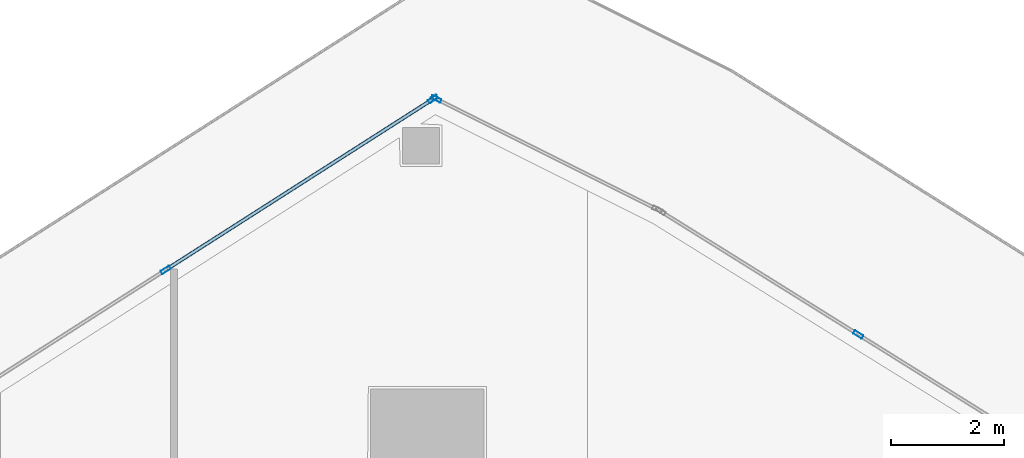
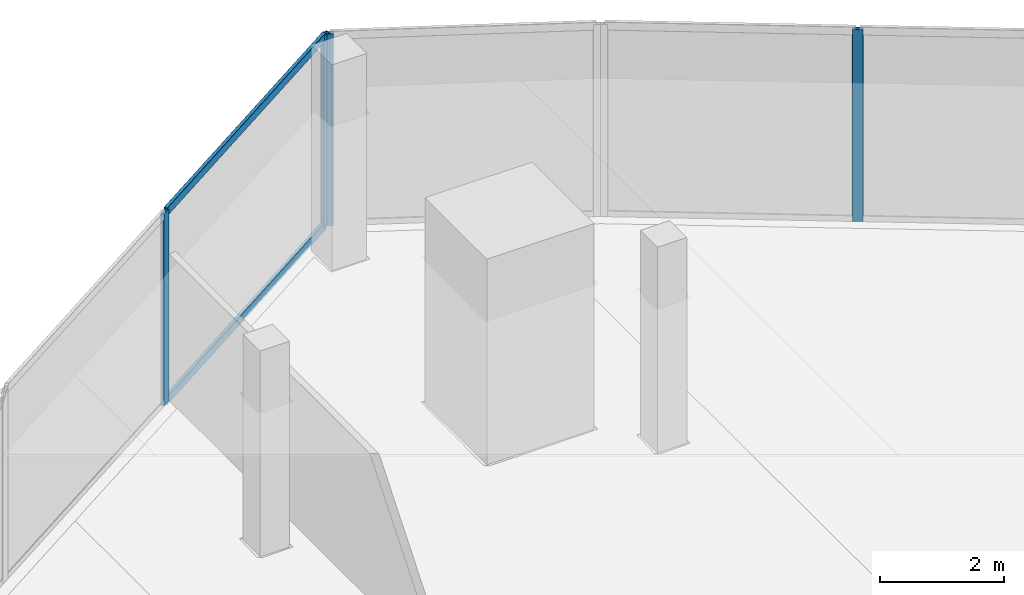
# One storey, part 22 of 36: 6 members, 3 elements without a shape of their own.
"""IFC4 building model written with IfcOpenShell, lengths in metres."""

from ifc_helpers import new_model, si_unit, direction, frame, origin, origin_2d, place, context, subcontext, project, spatial, hollow_rectangle, extrude, material, layer, layer_set, material_profile, profile_set, type_object, element, aggregate, save


model = new_model("IFC4")

# Units and contexts
model_context = context("Model", 3, precision=1e-05, world=origin(), true_north=direction((0.0, 1.0)))
body_context = subcontext(model_context, "Body", "Model", "MODEL_VIEW")
ifc_project = project(units=[si_unit("LENGTHUNIT", "METRE"), si_unit("AREAUNIT", "SQUARE_METRE"), si_unit("VOLUMEUNIT", "CUBIC_METRE"), si_unit("PLANEANGLEUNIT", "RADIAN"), si_unit("MASSUNIT", "GRAM", prefix="KILO")], contexts=[model_context])

# Site, building, storey
site_placement = place(None, origin())
site = spatial("IfcSite", under=ifc_project, at=site_placement, CompositionType="ELEMENT")
building_placement = place(site_placement, origin())
building = spatial("IfcBuilding", under=site, at=building_placement, Name="Qorvath Tower", CompositionType="ELEMENT")
storey_placement = place(building_placement, frame((0.0, 0.0, 205.050048828125)))
storey = spatial("IfcBuildingStorey", under=building, at=storey_placement, Name="L47", CompositionType="ELEMENT", Elevation=205.050048828125)

# Curtain wall, member
ifc_material_1 = material(Name="Anodised aluminium and triple low-E glass", Category="aluminium")
ifc_layer = layer(ifc_material_1, 0.179931640625)
ifc_layer_set = layer_set([ifc_layer], Name="CW-SYS-3")
curtain_wall_type = type_object("IfcCurtainWallType", Name="CW-SYS-3", PredefinedType="NOTDEFINED", material=ifc_layer_set)
curtain_wall_1_placement = place(storey_placement, origin())
curtain_wall_1 = element("IfcCurtainWall", 1, at=curtain_wall_1_placement, inside=storey, type_object=curtain_wall_type, Name="Curtain Wall CW-3 CW-T-L47-14.1", PredefinedType="NOTDEFINED")
ifc_material_2 = material(Name="Anodised aluminium 6063-T6", Category="aluminium")
ifc_material_profile_1 = material_profile(ifc_material_2, hollow_rectangle(XDim=0.06494140625, YDim=0.179931640625, WallThickness=0.00341796875, InnerFilletRadius=0.00341796875, OuterFilletRadius=0.007080078125, at=origin_2d()), Name="CWM 180x65")
ifc_profile_set_1 = profile_set([ifc_material_profile_1], Name="Anodised aluminium 6063-T6")
member_type_1 = type_object("IfcMemberType", Name="CWM-180", PredefinedType="MULLION", material=ifc_profile_set_1)
member_1_placement = place(storey_placement, frame((-9.25341796875, 23.590576171875, 0.0), z_axis=(0.0, 0.0, 1.0), x_axis=(-0.529206179006, -0.848493264618, 0.0)))
member_1 = element("IfcMember", 2, at=member_1_placement, type_object=member_type_1, Name="CW-3 mullion 2", PredefinedType="MULLION", context=body_context, shape_type="SweptSolid", body=[
    extrude(hollow_rectangle(XDim=0.06494140625, YDim=0.179931640625, WallThickness=0.00341796875, InnerFilletRadius=0.00341796875, OuterFilletRadius=0.007080078125, at=origin_2d()), origin(), (0.0, 0.0, 1.0), 3.780029296875),
])
aggregate(curtain_wall_1, [member_1])

curtain_wall_2_placement = place(storey_placement, origin())
curtain_wall_2 = element("IfcCurtainWall", 3, at=curtain_wall_2_placement, inside=storey, type_object=curtain_wall_type, Name="Curtain Wall CW-3 CW-T-L47-15.1", PredefinedType="NOTDEFINED")
member_2_placement = place(storey_placement, frame((-16.7138671875, 27.75634765625, 0.0), z_axis=(0.0, 0.0, 1.0), x_axis=(-0.44720457744, -0.894431699973, 0.0)))
member_2 = element("IfcMember", 4, at=member_2_placement, type_object=member_type_1, Name="CW-3 mullion 2", PredefinedType="MULLION", context=body_context, shape_type="SweptSolid", body=[
    extrude(hollow_rectangle(XDim=0.06494140625, YDim=0.179931640625, WallThickness=0.00341796875, InnerFilletRadius=0.00341796875, OuterFilletRadius=0.007080078125, at=origin_2d()), origin(), (0.0, 0.0, 1.0), 3.780029296875),
])
aggregate(curtain_wall_2, [member_2])

# Curtain wall, members
curtain_wall_3_placement = place(storey_placement, origin())
curtain_wall_3 = element("IfcCurtainWall", 5, at=curtain_wall_3_placement, inside=storey, type_object=curtain_wall_type, Name="Curtain Wall CW-3 CW-T-L47-16.1", PredefinedType="NOTDEFINED")
member_3_placement = place(storey_placement, frame((-16.770263671875, 27.75341796875, 0.0), z_axis=(0.0, 0.0, 1.0), x_axis=(0.538533623725, -0.842604020948, 0.0)))
member_3 = element("IfcMember", 6, at=member_3_placement, type_object=member_type_1, Name="CW-3 mullion 1", PredefinedType="MULLION", context=body_context, shape_type="SweptSolid", body=[
    extrude(hollow_rectangle(XDim=0.06494140625, YDim=0.179931640625, WallThickness=0.00341796875, InnerFilletRadius=0.00341796875, OuterFilletRadius=0.007080078125, at=origin_2d()), origin(), (0.0, 0.0, 1.0), 3.780029296875),
])
member_4_placement = place(storey_placement, frame((-21.495361328125, 24.733642578125, 0.0), z_axis=(0.0, 0.0, 1.0), x_axis=(0.538533623725, -0.842604020948, 0.0)))
member_4 = element("IfcMember", 7, at=member_4_placement, type_object=member_type_1, Name="CW-3 mullion 2", PredefinedType="MULLION", context=body_context, shape_type="SweptSolid", body=[
    extrude(hollow_rectangle(XDim=0.06494140625, YDim=0.179931640625, WallThickness=0.00341796875, InnerFilletRadius=0.00341796875, OuterFilletRadius=0.007080078125, at=origin_2d()), origin(), (0.0, 0.0, 1.0), 3.780029296875),
])
ifc_material_3 = material(Name="Anodised aluminium 6063-T6", Category="aluminium")
ifc_material_profile_2 = material_profile(ifc_material_3, hollow_rectangle(XDim=0.06494140625, YDim=0.159912109375, WallThickness=0.00341796875, InnerFilletRadius=0.00341796875, OuterFilletRadius=0.007080078125, at=origin_2d()), Name="CWT 160x65")
ifc_profile_set_2 = profile_set([ifc_material_profile_2], Name="Anodised aluminium 6063-T6")
member_type_2 = type_object("IfcMemberType", Name="CWT-160", PredefinedType="USERDEFINED", material=ifc_profile_set_2)
member_5_placement = place(storey_placement, frame((-16.797607421875, 27.736083984375, 0.032470703125), z_axis=(-0.842595217297, -0.538547397903, 0.0), x_axis=(0.538547397903, -0.842595217297, 0.0)))
member_5 = element("IfcMember", 8, at=member_5_placement, type_object=member_type_2, Name="CW-3 transom 1.1", ObjectType="TRANSOM", PredefinedType="USERDEFINED", context=body_context, shape_type="SweptSolid", body=[
    extrude(hollow_rectangle(XDim=0.06494140625, YDim=0.159912109375, WallThickness=0.00341796875, InnerFilletRadius=0.00341796875, OuterFilletRadius=0.007080078125, at=origin_2d()), origin(), (0.0, 0.0, 1.0), 5.54296875),
])
member_6_placement = place(storey_placement, frame((-16.797607421875, 27.736083984375, 3.74755859375), z_axis=(-0.842595217297, -0.538547397903, 0.0), x_axis=(0.538547397903, -0.842595217297, 0.0)))
member_6 = element("IfcMember", 9, at=member_6_placement, type_object=member_type_2, Name="CW-3 transom 1.2", ObjectType="TRANSOM", PredefinedType="USERDEFINED", context=body_context, shape_type="SweptSolid", body=[
    extrude(hollow_rectangle(XDim=0.06494140625, YDim=0.159912109375, WallThickness=0.00341796875, InnerFilletRadius=0.00341796875, OuterFilletRadius=0.007080078125, at=origin_2d()), origin(), (0.0, 0.0, 1.0), 5.54296875),
])
aggregate(curtain_wall_3, [member_3, member_4, member_5, member_6])

save(model, "model.ifc")
